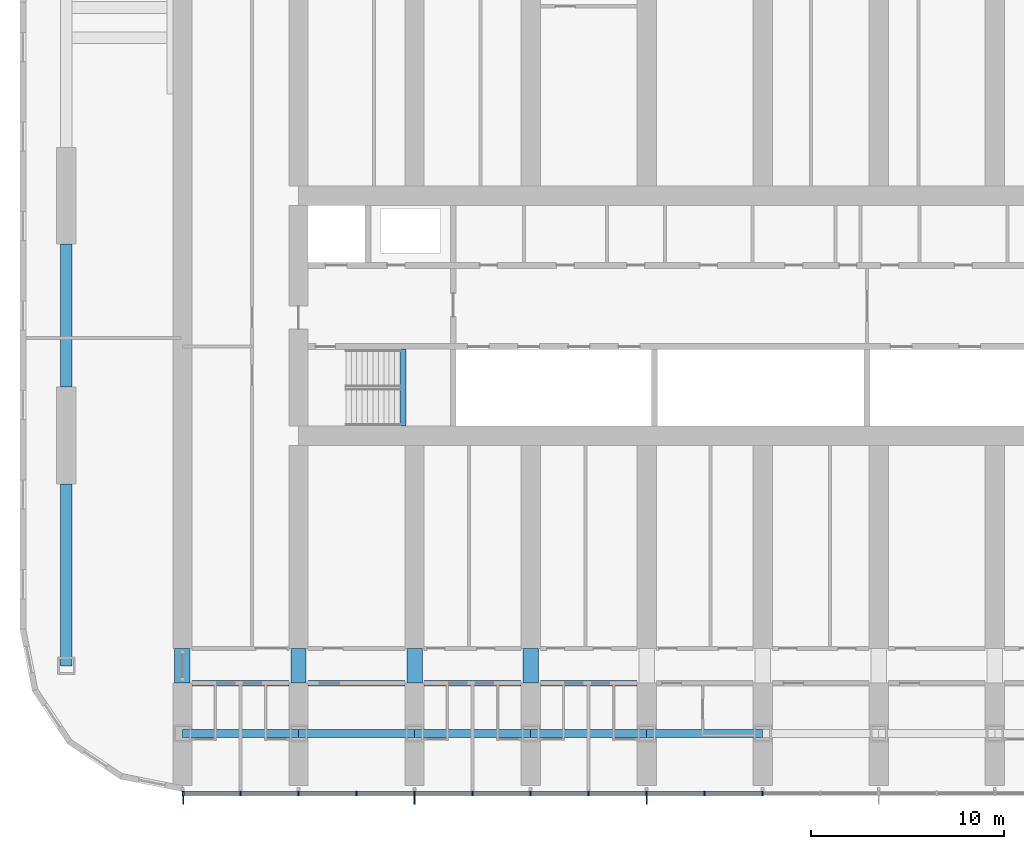
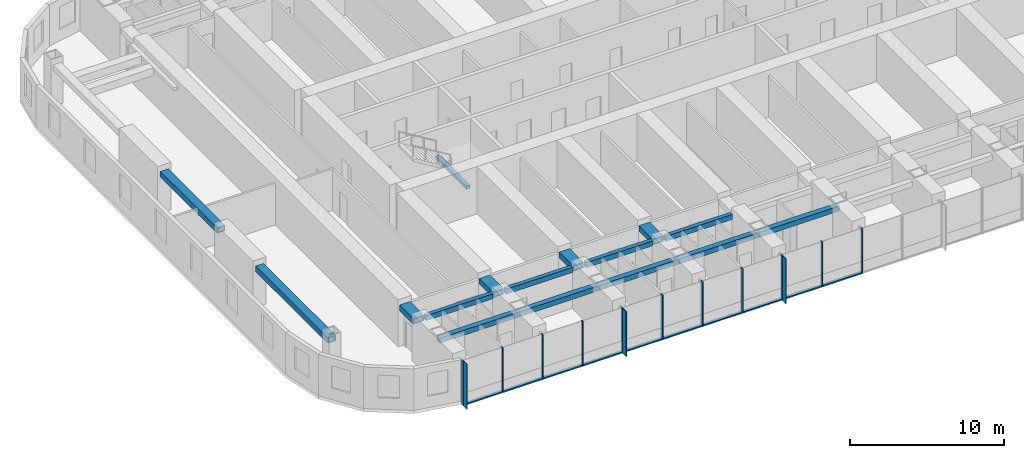
# One storey, part 2 of 23: 24 members, 16 beams, 1 element without a shape of its own.
"""IFC4 building model written with IfcOpenShell, lengths in metres."""

from ifc_helpers import new_model, si_unit, direction, frame, origin, origin_2d, place, context, subcontext, project, spatial, rectangle, hollow_rectangle, extrude, material, material_profile, profile_set, type_object, element, aggregate, save


model = new_model("IFC4")

# Units and contexts
model_context = context("Model", 3, precision=1e-05, world=origin(), true_north=direction((0.0, 1.0)))
body_context = subcontext(model_context, "Body", "Model", "MODEL_VIEW")
ifc_project = project(units=[si_unit("LENGTHUNIT", "METRE"), si_unit("AREAUNIT", "SQUARE_METRE"), si_unit("VOLUMEUNIT", "CUBIC_METRE"), si_unit("PLANEANGLEUNIT", "RADIAN"), si_unit("MASSUNIT", "GRAM", prefix="KILO")], contexts=[model_context])

# Site, building, storey
site_placement = place(None, origin())
site = spatial("IfcSite", under=ifc_project, at=site_placement, CompositionType="ELEMENT")
building_placement = place(site_placement, origin())
building = spatial("IfcBuilding", under=site, at=building_placement, Name="Orbita Commons", CompositionType="ELEMENT")
storey_placement = place(building_placement, frame((0.0, 0.0, 50.199951171875)))
storey = spatial("IfcBuildingStorey", under=building, at=storey_placement, Name="L12", CompositionType="ELEMENT", Elevation=50.199951171875)

# Curtain wall, members
ifc_material_1 = material(Name="Anodised aluminium frame, pale silver", Category="aluminium")
curtain_wall_type = type_object("IfcCurtainWallType", Name="Unitised curtain wall CW-T, vision and spandrel", PredefinedType="NOTDEFINED", material=ifc_material_1)
curtain_wall_placement = place(storey_placement, origin())
curtain_wall = element("IfcCurtainWall", 1, at=curtain_wall_placement, inside=storey, type_object=curtain_wall_type, Name="Curtain wall south L12", PredefinedType="NOTDEFINED")
ifc_material_2 = material(Name="Anodised aluminium, pale silver", Category="aluminium")
ifc_material_profile_1 = material_profile(ifc_material_2, rectangle(XDim=0.080078125, YDim=0.219970703125, at=origin_2d()), Name="AL 80x220")
ifc_profile_set_1 = profile_set([ifc_material_profile_1], Name="Anodised aluminium, pale silver")
member_type_1 = type_object("IfcMemberType", Name="Curtain wall mullion 80x220", PredefinedType="MULLION", material=ifc_profile_set_1)
member_1_placement = place(storey_placement, frame((12.0400390625, 7.2900390625, -0.25), z_axis=(0.0, 0.0, 1.0), x_axis=(1.0, 0.0, 0.0)))
member_1 = element("IfcMember", 2, at=member_1_placement, type_object=member_type_1, Name="Mullion 1 CW-L12-S", PredefinedType="MULLION", context=body_context, shape_type="SweptSolid", body=[
    extrude(rectangle(XDim=0.080078125, YDim=0.219970703125, at=origin_2d()), origin(), (0.0, 0.0, 1.0), 3.550048828125),
])
member_2_placement = place(storey_placement, frame((15.0, 7.2900390625, -0.25), z_axis=(0.0, 0.0, 1.0), x_axis=(1.0, 0.0, 0.0)))
member_2 = element("IfcMember", 3, at=member_2_placement, type_object=member_type_1, Name="Mullion 2 CW-L12-S", PredefinedType="MULLION", context=body_context, shape_type="SweptSolid", body=[
    extrude(rectangle(XDim=0.080078125, YDim=0.219970703125, at=origin_2d()), origin(), (0.0, 0.0, 1.0), 3.550048828125),
])
member_3_placement = place(storey_placement, frame((18.0, 7.2900390625, -0.25), z_axis=(0.0, 0.0, 1.0), x_axis=(1.0, 0.0, 0.0)))
member_3 = element("IfcMember", 4, at=member_3_placement, type_object=member_type_1, Name="Mullion 3 CW-L12-S", PredefinedType="MULLION", context=body_context, shape_type="SweptSolid", body=[
    extrude(rectangle(XDim=0.080078125, YDim=0.219970703125, at=origin_2d()), origin(), (0.0, 0.0, 1.0), 3.550048828125),
])
member_4_placement = place(storey_placement, frame((21.0, 7.2900390625, -0.25), z_axis=(0.0, 0.0, 1.0), x_axis=(1.0, 0.0, 0.0)))
member_4 = element("IfcMember", 5, at=member_4_placement, type_object=member_type_1, Name="Mullion 4 CW-L12-S", PredefinedType="MULLION", context=body_context, shape_type="SweptSolid", body=[
    extrude(rectangle(XDim=0.080078125, YDim=0.219970703125, at=origin_2d()), origin(), (0.0, 0.0, 1.0), 3.550048828125),
])
member_5_placement = place(storey_placement, frame((24.0, 7.2900390625, -0.25), z_axis=(0.0, 0.0, 1.0), x_axis=(1.0, 0.0, 0.0)))
member_5 = element("IfcMember", 6, at=member_5_placement, type_object=member_type_1, Name="Mullion 5 CW-L12-S", PredefinedType="MULLION", context=body_context, shape_type="SweptSolid", body=[
    extrude(rectangle(XDim=0.080078125, YDim=0.219970703125, at=origin_2d()), origin(), (0.0, 0.0, 1.0), 3.550048828125),
])
member_6_placement = place(storey_placement, frame((27.0, 7.2900390625, -0.25), z_axis=(0.0, 0.0, 1.0), x_axis=(1.0, 0.0, 0.0)))
member_6 = element("IfcMember", 7, at=member_6_placement, type_object=member_type_1, Name="Mullion 6 CW-L12-S", PredefinedType="MULLION", context=body_context, shape_type="SweptSolid", body=[
    extrude(rectangle(XDim=0.080078125, YDim=0.219970703125, at=origin_2d()), origin(), (0.0, 0.0, 1.0), 3.550048828125),
])
member_7_placement = place(storey_placement, frame((30.0, 7.2900390625, -0.25), z_axis=(0.0, 0.0, 1.0), x_axis=(1.0, 0.0, 0.0)))
member_7 = element("IfcMember", 8, at=member_7_placement, type_object=member_type_1, Name="Mullion 7 CW-L12-S", PredefinedType="MULLION", context=body_context, shape_type="SweptSolid", body=[
    extrude(rectangle(XDim=0.080078125, YDim=0.219970703125, at=origin_2d()), origin(), (0.0, 0.0, 1.0), 3.550048828125),
])
member_8_placement = place(storey_placement, frame((33.0, 7.2900390625, -0.25), z_axis=(0.0, 0.0, 1.0), x_axis=(1.0, 0.0, 0.0)))
member_8 = element("IfcMember", 9, at=member_8_placement, type_object=member_type_1, Name="Mullion 8 CW-L12-S", PredefinedType="MULLION", context=body_context, shape_type="SweptSolid", body=[
    extrude(rectangle(XDim=0.080078125, YDim=0.219970703125, at=origin_2d()), origin(), (0.0, 0.0, 1.0), 3.550048828125),
])
member_9_placement = place(storey_placement, frame((36.0, 7.2900390625, -0.25), z_axis=(0.0, 0.0, 1.0), x_axis=(1.0, 0.0, 0.0)))
member_9 = element("IfcMember", 10, at=member_9_placement, type_object=member_type_1, Name="Mullion 9 CW-L12-S", PredefinedType="MULLION", context=body_context, shape_type="SweptSolid", body=[
    extrude(rectangle(XDim=0.080078125, YDim=0.219970703125, at=origin_2d()), origin(), (0.0, 0.0, 1.0), 3.550048828125),
])
member_10_placement = place(storey_placement, frame((39.0, 7.2900390625, -0.25), z_axis=(0.0, 0.0, 1.0), x_axis=(1.0, 0.0, 0.0)))
member_10 = element("IfcMember", 11, at=member_10_placement, type_object=member_type_1, Name="Mullion 10 CW-L12-S", PredefinedType="MULLION", context=body_context, shape_type="SweptSolid", body=[
    extrude(rectangle(XDim=0.080078125, YDim=0.219970703125, at=origin_2d()), origin(), (0.0, 0.0, 1.0), 3.550048828125),
])
member_11_placement = place(storey_placement, frame((42.0, 7.2900390625, -0.25), z_axis=(0.0, 0.0, 1.0), x_axis=(1.0, 0.0, 0.0)))
member_11 = element("IfcMember", 12, at=member_11_placement, type_object=member_type_1, Name="Mullion 11 CW-L12-S", PredefinedType="MULLION", context=body_context, shape_type="SweptSolid", body=[
    extrude(rectangle(XDim=0.080078125, YDim=0.219970703125, at=origin_2d()), origin(), (0.0, 0.0, 1.0), 3.550048828125),
])
ifc_material_3 = material(Name="Anodised aluminium, pale silver", Category="aluminium")
ifc_material_profile_2 = material_profile(ifc_material_3, rectangle(XDim=0.219970703125, YDim=0.10009765625, at=origin_2d()), Name="AL 220x100")
ifc_profile_set_2 = profile_set([ifc_material_profile_2], Name="Anodised aluminium, pale silver")
member_type_2 = type_object("IfcMemberType", Name="Curtain wall stack transom 220x100", PredefinedType="USERDEFINED", material=ifc_profile_set_2)
member_12_placement = place(storey_placement, frame((12.080078125, 7.2900390625, -0.199951171875), z_axis=(1.0, 0.0, 0.0), x_axis=(0.0, 1.0, 0.0)))
member_12 = element("IfcMember", 13, at=member_12_placement, type_object=member_type_2, Name="Transom 1.1 CW-L12-S", ObjectType="TRANSOM", PredefinedType="USERDEFINED", context=body_context, shape_type="SweptSolid", body=[
    extrude(rectangle(XDim=0.219970703125, YDim=0.10009765625, at=origin_2d()), origin(), (0.0, 0.0, 1.0), 2.8798828125),
])
member_13_placement = place(storey_placement, frame((15.0400390625, 7.2900390625, -0.199951171875), z_axis=(1.0, 0.0, 0.0), x_axis=(0.0, 1.0, 0.0)))
member_13 = element("IfcMember", 14, at=member_13_placement, type_object=member_type_2, Name="Transom 2.1 CW-L12-S", ObjectType="TRANSOM", PredefinedType="USERDEFINED", context=body_context, shape_type="SweptSolid", body=[
    extrude(rectangle(XDim=0.219970703125, YDim=0.10009765625, at=origin_2d()), origin(), (0.0, 0.0, 1.0), 2.919921875),
])
member_14_placement = place(storey_placement, frame((18.0400390625, 7.2900390625, -0.199951171875), z_axis=(1.0, 0.0, 0.0), x_axis=(0.0, 1.0, 0.0)))
member_14 = element("IfcMember", 15, at=member_14_placement, type_object=member_type_2, Name="Transom 3.1 CW-L12-S", ObjectType="TRANSOM", PredefinedType="USERDEFINED", context=body_context, shape_type="SweptSolid", body=[
    extrude(rectangle(XDim=0.219970703125, YDim=0.10009765625, at=origin_2d()), origin(), (0.0, 0.0, 1.0), 2.919921875),
])
member_15_placement = place(storey_placement, frame((21.0400390625, 7.2900390625, -0.199951171875), z_axis=(1.0, 0.0, 0.0), x_axis=(0.0, 1.0, 0.0)))
member_15 = element("IfcMember", 16, at=member_15_placement, type_object=member_type_2, Name="Transom 4.1 CW-L12-S", ObjectType="TRANSOM", PredefinedType="USERDEFINED", context=body_context, shape_type="SweptSolid", body=[
    extrude(rectangle(XDim=0.219970703125, YDim=0.10009765625, at=origin_2d()), origin(), (0.0, 0.0, 1.0), 2.919921875),
])
member_16_placement = place(storey_placement, frame((24.0400390625, 7.2900390625, -0.199951171875), z_axis=(1.0, 0.0, 0.0), x_axis=(0.0, 1.0, 0.0)))
member_16 = element("IfcMember", 17, at=member_16_placement, type_object=member_type_2, Name="Transom 5.1 CW-L12-S", ObjectType="TRANSOM", PredefinedType="USERDEFINED", context=body_context, shape_type="SweptSolid", body=[
    extrude(rectangle(XDim=0.219970703125, YDim=0.10009765625, at=origin_2d()), origin(), (0.0, 0.0, 1.0), 2.919921875),
])
member_17_placement = place(storey_placement, frame((27.0400390625, 7.2900390625, -0.199951171875), z_axis=(1.0, 0.0, 0.0), x_axis=(0.0, 1.0, 0.0)))
member_17 = element("IfcMember", 18, at=member_17_placement, type_object=member_type_2, Name="Transom 6.1 CW-L12-S", ObjectType="TRANSOM", PredefinedType="USERDEFINED", context=body_context, shape_type="SweptSolid", body=[
    extrude(rectangle(XDim=0.219970703125, YDim=0.10009765625, at=origin_2d()), origin(), (0.0, 0.0, 1.0), 2.919921875),
])
member_18_placement = place(storey_placement, frame((30.0400390625, 7.2900390625, -0.199951171875), z_axis=(1.0, 0.0, 0.0), x_axis=(0.0, 1.0, 0.0)))
member_18 = element("IfcMember", 19, at=member_18_placement, type_object=member_type_2, Name="Transom 7.1 CW-L12-S", ObjectType="TRANSOM", PredefinedType="USERDEFINED", context=body_context, shape_type="SweptSolid", body=[
    extrude(rectangle(XDim=0.219970703125, YDim=0.10009765625, at=origin_2d()), origin(), (0.0, 0.0, 1.0), 2.919921875),
])
member_19_placement = place(storey_placement, frame((33.0400390625, 7.2900390625, -0.199951171875), z_axis=(1.0, 0.0, 0.0), x_axis=(0.0, 1.0, 0.0)))
member_19 = element("IfcMember", 20, at=member_19_placement, type_object=member_type_2, Name="Transom 8.1 CW-L12-S", ObjectType="TRANSOM", PredefinedType="USERDEFINED", context=body_context, shape_type="SweptSolid", body=[
    extrude(rectangle(XDim=0.219970703125, YDim=0.10009765625, at=origin_2d()), origin(), (0.0, 0.0, 1.0), 2.919921875),
])
member_20_placement = place(storey_placement, frame((36.0400390625, 7.2900390625, -0.199951171875), z_axis=(1.0, 0.0, 0.0), x_axis=(0.0, 1.0, 0.0)))
member_20 = element("IfcMember", 21, at=member_20_placement, type_object=member_type_2, Name="Transom 9.1 CW-L12-S", ObjectType="TRANSOM", PredefinedType="USERDEFINED", context=body_context, shape_type="SweptSolid", body=[
    extrude(rectangle(XDim=0.219970703125, YDim=0.10009765625, at=origin_2d()), origin(), (0.0, 0.0, 1.0), 2.919921875),
])
member_21_placement = place(storey_placement, frame((39.0400390625, 7.2900390625, -0.199951171875), z_axis=(1.0, 0.0, 0.0), x_axis=(0.0, 1.0, 0.0)))
member_21 = element("IfcMember", 22, at=member_21_placement, type_object=member_type_2, Name="Transom 10.1 CW-L12-S", ObjectType="TRANSOM", PredefinedType="USERDEFINED", context=body_context, shape_type="SweptSolid", body=[
    extrude(rectangle(XDim=0.219970703125, YDim=0.10009765625, at=origin_2d()), origin(), (0.0, 0.0, 1.0), 2.919921875),
])

# Beams
ifc_material_4 = material(Name="Steel ASTM A572 Gr 50 welded plate", Category="steel")
ifc_material_profile_3 = material_profile(ifc_material_4, hollow_rectangle(XDim=0.300048828125, YDim=0.25, WallThickness=0.02490234375, at=origin_2d()), Name="BOX 250x300x25")
ifc_profile_set_3 = profile_set([ifc_material_profile_3], Name="Steel ASTM A572 Gr 50 welded plate")
beam_type_1 = type_object("IfcBeamType", Name="Stair landing beam steel BOX 250x300x25", PredefinedType="BEAM", material=ifc_profile_set_3)
beam_1_placement = place(storey_placement, frame((23.39990234375, 26.284912109375, 1.550048828125), z_axis=(0.0, 1.0, 0.0), x_axis=(-1.0, 0.0, 0.0)))
element("IfcBeam", 23, at=beam_1_placement, inside=storey, type_object=beam_type_1, Name="Stair S1 landing beam L12 1", PredefinedType="BEAM", context=body_context, shape_type="SweptSolid", body=[
    extrude(hollow_rectangle(XDim=0.300048828125, YDim=0.25, WallThickness=0.02490234375, at=origin_2d()), origin(), (0.0, 0.0, 1.0), 3.97998046875),
])
ifc_material_5 = material(Name="Steel ASTM A572 Gr 50 welded plate", Category="steel")
ifc_material_profile_4 = material_profile(ifc_material_5, hollow_rectangle(XDim=0.300048828125, YDim=0.39990234375, WallThickness=0.0400390625, at=origin_2d()), Name="BOX 400x300x40")
ifc_profile_set_4 = profile_set([ifc_material_profile_4], Name="Steel ASTM A572 Gr 50 welded plate")
beam_type_2 = type_object("IfcBeamType", Name="Steel corridor link BOX 400x300x40", PredefinedType="BEAM", material=ifc_profile_set_4)
for number, where, z_axis, x_axis, name in (
    (24, (12.5, 13.0, 3.10009765625), (1.0, 0.0, 0.0), (0.0, 1.0, 0.0), "Corridor beam SA 3-4 L12"),
    (25, (18.5, 13.0, 3.10009765625), (1.0, 0.0, 0.0), (0.0, 1.0, 0.0), "Corridor beam SA 4-5 L12"),
    (26, (24.5, 13.0, 3.10009765625), (1.0, 0.0, 0.0), (0.0, 1.0, 0.0), "Corridor beam SA 5-6 L12"),
    (27, (30.5, 13.0, 3.10009765625), (1.0, 0.0, 0.0), (0.0, 1.0, 0.0), "Corridor beam SA 6-7 L12"),
):
    element("IfcBeam", number, at=place(storey_placement, frame(where, z_axis=z_axis, x_axis=x_axis)), inside=storey, type_object=beam_type_2, Name=name, PredefinedType="BEAM", context=body_context, shape_type="SweptSolid", body=[
        extrude(hollow_rectangle(XDim=0.300048828125, YDim=0.39990234375, WallThickness=0.0400390625, at=origin_2d()), origin(), (0.0, 0.0, 1.0), 5.0),
    ])
ifc_material_6 = material(Name="Steel ASTM A572 Gr 50 welded plate", Category="steel")
ifc_material_profile_5 = material_profile(ifc_material_6, hollow_rectangle(XDim=0.800048828125, YDim=0.449951171875, WallThickness=0.06005859375, at=origin_2d()), Name="BOX 450x800x60")
ifc_profile_set_5 = profile_set([ifc_material_profile_5], Name="Steel ASTM A572 Gr 50 welded plate")
beam_type_3 = type_object("IfcBeamType", Name="Steel coupling link BOX 450x800x60", PredefinedType="LINTEL", material=ifc_profile_set_5)
for number, where, z_axis, x_axis, name in (
    (28, (12.0, 13.0, 3.074951171875), (0.0, 1.0, 0.0), (-1.0, 0.0, 0.0), "Coupling beam 3 south L12"),
    (29, (18.0, 13.0, 3.074951171875), (0.0, 1.0, 0.0), (-1.0, 0.0, 0.0), "Coupling beam 4 south L12"),
    (30, (24.0, 13.0, 3.074951171875), (0.0, 1.0, 0.0), (-1.0, 0.0, 0.0), "Coupling beam 5 south L12"),
    (31, (30.0, 13.0, 3.074951171875), (0.0, 1.0, 0.0), (-1.0, 0.0, 0.0), "Coupling beam 6 south L12"),
):
    element("IfcBeam", number, at=place(storey_placement, frame(where, z_axis=z_axis, x_axis=x_axis)), inside=storey, type_object=beam_type_3, Name=name, PredefinedType="LINTEL", context=body_context, shape_type="SweptSolid", body=[
        extrude(hollow_rectangle(XDim=0.800048828125, YDim=0.449951171875, WallThickness=0.06005859375, at=origin_2d()), origin(), (0.0, 0.0, 1.0), 1.800048828125),
    ])
ifc_material_7 = material(Name="Steel ASTM A572 Gr 50 welded plate", Category="steel")
ifc_material_profile_6 = material_profile(ifc_material_7, hollow_rectangle(XDim=0.60009765625, YDim=0.449951171875, WallThickness=0.06005859375, at=origin_2d()), Name="BOX 450x600x60")
ifc_profile_set_6 = profile_set([ifc_material_profile_6], Name="Steel ASTM A572 Gr 50 welded plate")
beam_type_4 = type_object("IfcBeamType", Name="Steel end frame link BOX 450x600x60", PredefinedType="BEAM", material=ifc_profile_set_6)
beam_2_placement = place(storey_placement, frame((6.0, 13.89990234375, 3.074951171875), z_axis=(0.0, 1.0, 0.0), x_axis=(-1.0, 0.0, 0.0)))
element("IfcBeam", 32, at=beam_2_placement, inside=storey, type_object=beam_type_4, Name="End frame beam 2 B-C L12", PredefinedType="BEAM", context=body_context, shape_type="SweptSolid", body=[
    extrude(hollow_rectangle(XDim=0.60009765625, YDim=0.449951171875, WallThickness=0.06005859375, at=origin_2d()), origin(), (0.0, 0.0, 1.0), 9.400146484375),
])
beam_3_placement = place(storey_placement, frame((6.0, 28.300048828125, 3.074951171875), z_axis=(0.0, 1.0, 0.0), x_axis=(-1.0, 0.0, 0.0)))
element("IfcBeam", 33, at=beam_3_placement, inside=storey, type_object=beam_type_4, Name="End frame beam 2 C-D L12", PredefinedType="BEAM", context=body_context, shape_type="SweptSolid", body=[
    extrude(hollow_rectangle(XDim=0.60009765625, YDim=0.449951171875, WallThickness=0.06005859375, at=origin_2d()), origin(), (0.0, 0.0, 1.0), 7.39990234375),
])
ifc_material_8 = material(Name="Steel ASTM A572 Gr 50 welded plate", Category="steel")
ifc_material_profile_7 = material_profile(ifc_material_8, hollow_rectangle(XDim=0.39990234375, YDim=0.39990234375, WallThickness=0.0400390625, at=origin_2d()), Name="BOX 400x400x40")
ifc_profile_set_7 = profile_set([ifc_material_profile_7], Name="Steel ASTM A572 Gr 50 welded plate")
beam_type_5 = type_object("IfcBeamType", Name="Steel spandrel BOX 400x400x40", PredefinedType="SPANDREL", material=ifc_profile_set_7)
for number, where, z_axis, x_axis, name in (
    (34, (12.0, 10.39990234375, 3.10009765625), (1.0, 0.0, 0.0), (0.0, 1.0, 0.0), "Spandrel beam B 3-4 L12"),
    (35, (18.0, 10.39990234375, 3.10009765625), (1.0, 0.0, 0.0), (0.0, 1.0, 0.0), "Spandrel beam B 4-5 L12"),
    (36, (24.0, 10.39990234375, 3.10009765625), (1.0, 0.0, 0.0), (0.0, 1.0, 0.0), "Spandrel beam B 5-6 L12"),
    (37, (30.0, 10.39990234375, 3.10009765625), (1.0, 0.0, 0.0), (0.0, 1.0, 0.0), "Spandrel beam B 6-7 L12"),
    (38, (36.0, 10.39990234375, 3.10009765625), (1.0, 0.0, 0.0), (0.0, 1.0, 0.0), "Spandrel beam B 7-8 L12"),
):
    element("IfcBeam", number, at=place(storey_placement, frame(where, z_axis=z_axis, x_axis=x_axis)), inside=storey, type_object=beam_type_5, Name=name, PredefinedType="SPANDREL", context=body_context, shape_type="SweptSolid", body=[
        extrude(hollow_rectangle(XDim=0.39990234375, YDim=0.39990234375, WallThickness=0.0400390625, at=origin_2d()), origin(), (0.0, 0.0, 1.0), 6.0),
    ])

# Member
ifc_material_9 = material(Name="Anodised aluminium, pale silver", Category="aluminium")
ifc_material_profile_8 = material_profile(ifc_material_9, rectangle(XDim=0.06005859375, YDim=0.449951171875, at=origin_2d()), Name="FIN 60x450")
ifc_profile_set_8 = profile_set([ifc_material_profile_8], Name="Anodised aluminium, pale silver")
member_type_3 = type_object("IfcMemberType", Name="Vertical fin 60x450 pale aluminium", PredefinedType="USERDEFINED", material=ifc_profile_set_8)
member_22_placement = place(storey_placement, frame((12.0400390625, 6.955078125, -0.25), z_axis=(0.0, 0.0, 1.0), x_axis=(1.0, 0.0, 0.0)))
member_22 = element("IfcMember", 39, at=member_22_placement, type_object=member_type_3, Name="Fin 1 CW-L12-S", ObjectType="FIN", PredefinedType="USERDEFINED", context=body_context, shape_type="SweptSolid", body=[
    extrude(rectangle(XDim=0.06005859375, YDim=0.449951171875, at=origin_2d()), origin(), (0.0, 0.0, 1.0), 3.550048828125),
])

member_23_placement = place(storey_placement, frame((24.0, 6.955078125, -0.25), z_axis=(0.0, 0.0, 1.0), x_axis=(1.0, 0.0, 0.0)))
member_23 = element("IfcMember", 40, at=member_23_placement, type_object=member_type_3, Name="Fin 5 CW-L12-S", ObjectType="FIN", PredefinedType="USERDEFINED", context=body_context, shape_type="SweptSolid", body=[
    extrude(rectangle(XDim=0.06005859375, YDim=0.449951171875, at=origin_2d()), origin(), (0.0, 0.0, 1.0), 3.550048828125),
])

member_24_placement = place(storey_placement, frame((36.0, 6.955078125, -0.25), z_axis=(0.0, 0.0, 1.0), x_axis=(1.0, 0.0, 0.0)))
member_24 = element("IfcMember", 41, at=member_24_placement, type_object=member_type_3, Name="Fin 9 CW-L12-S", ObjectType="FIN", PredefinedType="USERDEFINED", context=body_context, shape_type="SweptSolid", body=[
    extrude(rectangle(XDim=0.06005859375, YDim=0.449951171875, at=origin_2d()), origin(), (0.0, 0.0, 1.0), 3.550048828125),
])

aggregate(curtain_wall, [member_1, member_22, member_2, member_3, member_4, member_5, member_23, member_6, member_7, member_8, member_9, member_24, member_10, member_11, member_12, member_13, member_14, member_15, member_16, member_17, member_18, member_19, member_20, member_21])

save(model, "model.ifc")
